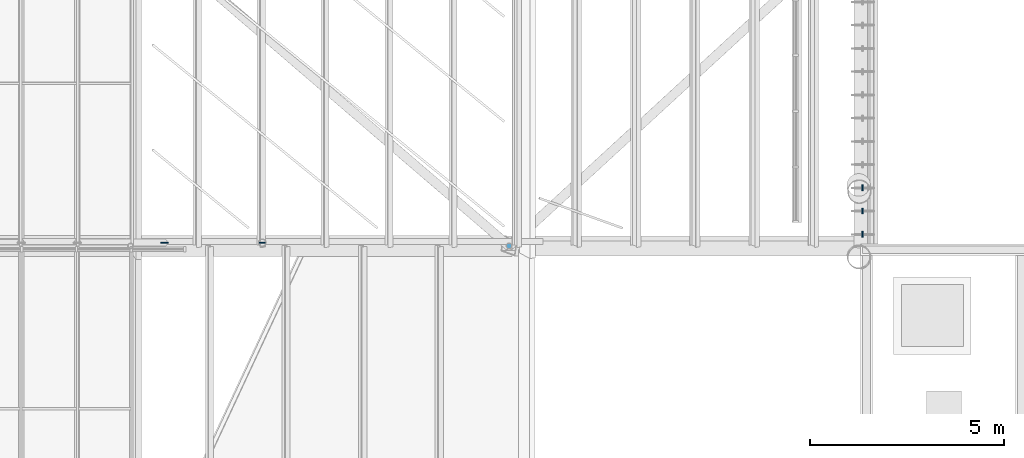
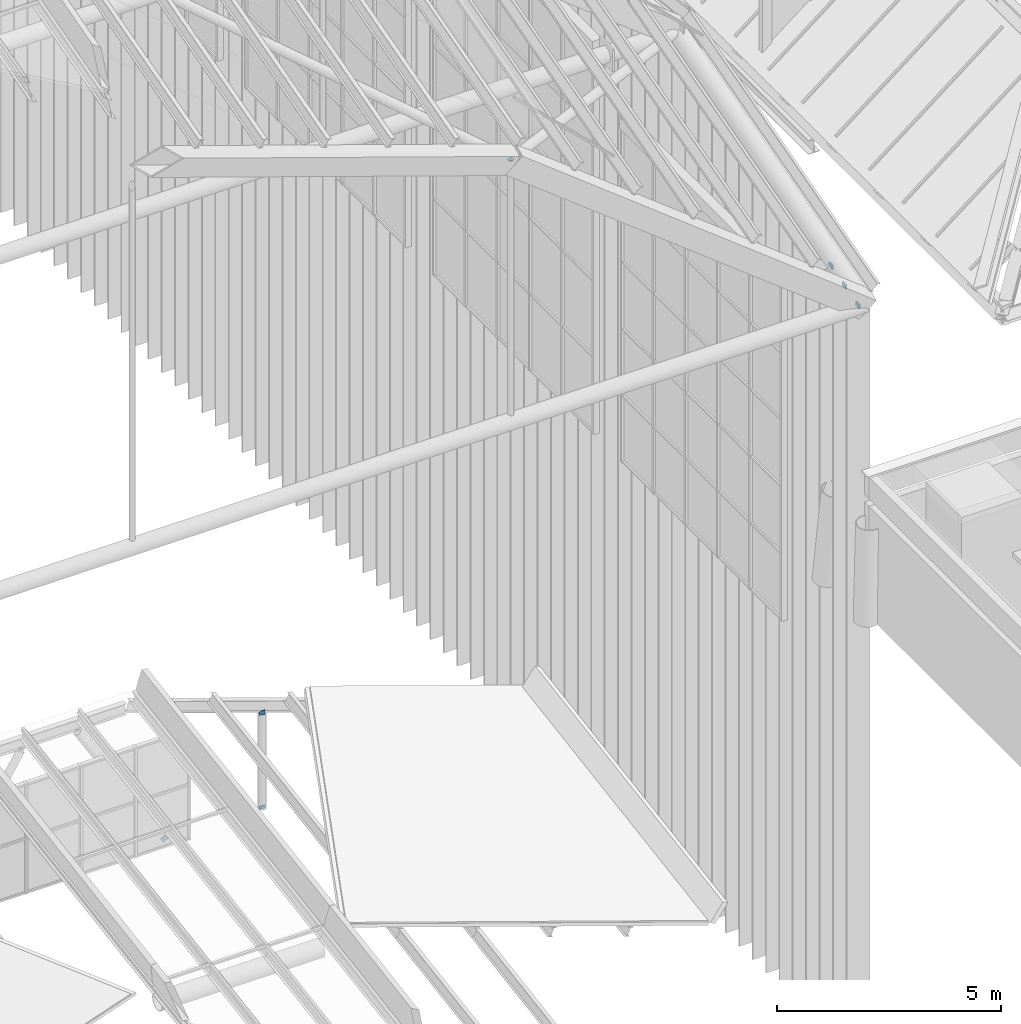
# One storey, part 92 of 126: 7 discrete accessories.
"""IFC4 building model written with IfcOpenShell, lengths in metres."""

import ifcopenshell
import ifcopenshell.guid

model = None  # the IFC model being written
_history = None  # IfcOwnerHistory: only IFC2X3 demands one
_inside = {}  # id of a spatial element -> (the spatial element, [elements in it])
_under = {}  # id of a project, library or spatial element -> (it, [spatial elements below it])
_declared = {}  # id of a project -> (the project, [libraries it declares])
_typed = {}  # id of a type object -> (the type object, [elements of that type])
_made_of = {}  # id of a material, layer set ... -> (it, [elements and type objects made of it])


def new_model(schema):
    """Start an empty IFC model of exactly this schema.

    Asked for "IFC4X3", IfcOpenShell would pick the latest addendum, in which some entities
    have other attributes; the version numbers below select the first issue.
    IFC2X3 requires an IfcOwnerHistory on every rooted entity: one is made here for all.
    """
    global model, _history
    if schema == "IFC4X3":
        model = ifcopenshell.file(schema_version=(4, 3, 0, 0))
    else:
        model = ifcopenshell.file(schema=schema)
    _inside.clear()
    _under.clear()
    _declared.clear()
    _typed.clear()
    _made_of.clear()
    _history = None
    if model.schema == "IFC2X3":
        org = make("IfcOrganization", Name="unknown")
        user = make(
            "IfcPersonAndOrganization",
            ThePerson=make("IfcPerson", FamilyName="unknown"),
            TheOrganization=org,
        )
        app = make(
            "IfcApplication",
            ApplicationDeveloper=org,
            Version="unknown",
            ApplicationFullName="unknown",
            ApplicationIdentifier="unknown",
        )
        _history = make(
            "IfcOwnerHistory",
            OwningUser=user,
            OwningApplication=app,
            ChangeAction="ADDED",
            CreationDate=0,
        )
    return model


def make(cls, **values):
    """One entity of the class cls with the attributes given. An attribute that is None is left unset."""
    return model.create_entity(
        cls, **{name: value for name, value in values.items() if value is not None}
    )


def rooted(cls, **values):
    """An entity with a GlobalId (a new one), such as an element, a storey or a relation."""
    return make(cls, GlobalId=ifcopenshell.guid.new(), OwnerHistory=_history, **values)


def si_unit(unit_type, name, prefix=None):
    """IfcSIUnit, for example si_unit("LENGTHUNIT", "METRE", prefix="MILLI")."""
    return make("IfcSIUnit", UnitType=unit_type, Prefix=prefix, Name=name)


def assignment(units):
    """IfcUnitAssignment: the units of a project."""
    return None if units is None else make("IfcUnitAssignment", Units=units)


def point(xyz):
    """IfcCartesianPoint."""
    return None if xyz is None else make("IfcCartesianPoint", Coordinates=xyz)


def direction(xyz):
    """IfcDirection."""
    return None if xyz is None else make("IfcDirection", DirectionRatios=xyz)


def frame(location, z_axis=None, x_axis=None):
    """IfcAxis2Placement3D, a coordinate frame: its origin and axes. An axis left out is left unset."""
    return make(
        "IfcAxis2Placement3D",
        Location=point(location),
        Axis=direction(z_axis),
        RefDirection=direction(x_axis),
    )


def frame_2d(location, x_axis=None):
    """IfcAxis2Placement2D, a coordinate frame in the plane: its origin and x axis."""
    return make(
        "IfcAxis2Placement2D", Location=point(location), RefDirection=direction(x_axis)
    )


def origin():
    """The frame at (0, 0, 0) with its axes left unset."""
    return frame((0.0, 0.0, 0.0))


def origin_2d():
    """The frame at (0, 0) in the plane with its x axis left unset."""
    return frame_2d((0.0, 0.0))


def place(relative_to, where):
    """IfcLocalPlacement: puts the frame where relative to a parent placement (None: the world)."""
    return make(
        "IfcLocalPlacement", PlacementRelTo=relative_to, RelativePlacement=where
    )


def context(
    kind, dimensions, precision=None, world=None, true_north=None, identifier=None
):
    """IfcGeometricRepresentationContext, for example the 3D "Model" context."""
    return make(
        "IfcGeometricRepresentationContext",
        ContextIdentifier=identifier,
        ContextType=kind,
        CoordinateSpaceDimension=dimensions,
        Precision=precision,
        WorldCoordinateSystem=world,
        TrueNorth=true_north,
    )


def subcontext(parent, identifier, kind, view, scale=None):
    """IfcGeometricRepresentationSubContext, for example "Body" below "Model"."""
    return make(
        "IfcGeometricRepresentationSubContext",
        ContextIdentifier=identifier,
        ContextType=kind,
        ParentContext=parent,
        TargetScale=scale,
        TargetView=view,
    )


def project(units=None, contexts=None):
    """IfcProject with its units and contexts."""
    return rooted(
        "IfcProject",
        Name="project",
        RepresentationContexts=contexts,
        UnitsInContext=assignment(units),
    )


def spatial(cls, under=None, at=None, **own):
    """A site, building, storey or space (cls), placed at a placement, below another one or the project."""
    s = rooted(cls, ObjectPlacement=at, **own)
    if under is not None:
        _under.setdefault(under.id(), (under, []))[1].append(s)
    return s


def profile(cls, at=None, kind="AREA", **sizes):
    """A parametric profile (cls). Its sizes go by their IFC names, for example OverallWidth=200.0."""
    return make(cls, ProfileType=kind, Position=at, **sizes)


def rectangle(**sizes):
    """IfcRectangleProfileDef."""
    return profile("IfcRectangleProfileDef", **sizes)


def circle(**sizes):
    """IfcCircleProfileDef."""
    return profile("IfcCircleProfileDef", **sizes)


def extrude(swept, where, along, depth):
    """IfcExtrudedAreaSolid: the profile swept, set in the frame where, extruded along a direction by depth."""
    return make(
        "IfcExtrudedAreaSolid",
        SweptArea=swept,
        Position=where,
        ExtrudedDirection=direction(along),
        Depth=depth,
    )


def shape(context_of_items, identifier, shape_type, items):
    """IfcShapeRepresentation: the items that make up one representation, for example the "Body"."""
    return make(
        "IfcShapeRepresentation",
        ContextOfItems=context_of_items,
        RepresentationIdentifier=identifier,
        RepresentationType=shape_type,
        Items=items,
    )


def material(Name=None, Category=None):
    """IfcMaterial."""
    return make("IfcMaterial", Name=Name, Category=Category)


def layer(
    of_material, thickness, ventilated=None, Name=None, Category=None, Priority=None
):
    """IfcMaterialLayer: one layer of a wall or slab, of a material (None: an air gap)."""
    return make(
        "IfcMaterialLayer",
        Material=of_material,
        LayerThickness=thickness,
        IsVentilated=ventilated,
        Name=Name,
        Category=Category,
        Priority=Priority,
    )


def layer_set(layers, Name=None):
    """IfcMaterialLayerSet."""
    return make("IfcMaterialLayerSet", MaterialLayers=layers, LayerSetName=Name)


def material_profile(
    of_material, cross_section, Name=None, Category=None, Priority=None
):
    """IfcMaterialProfile: a cross section and its material."""
    return make(
        "IfcMaterialProfile",
        Name=Name,
        Material=of_material,
        Profile=cross_section,
        Priority=Priority,
        Category=Category,
    )


def profile_set(profiles, Name=None, composite=None):
    """IfcMaterialProfileSet."""
    return make(
        "IfcMaterialProfileSet",
        Name=Name,
        MaterialProfiles=profiles,
        CompositeProfile=composite,
    )


def made_of(thing, what):
    """Note that an element or type object is made of a material, layer set ...; save() writes the relation."""
    if what is not None:
        _made_of.setdefault(what.id(), (what, []))[1].append(thing)
    return thing


def type_object(cls, material=None, **own):
    """A type object (cls), such as IfcWallType, which elements share."""
    return made_of(rooted(cls, **own), material)


def element(
    cls,
    number,
    at=None,
    inside=None,
    cuts=None,
    type_object=None,
    material=None,
    context=None,
    identifier="Body",
    shape_type=None,
    held_by="IfcProductDefinitionShape",
    body=None,
    shapes=None,
    **own,
):
    """One element of the class cls, such as IfcWall. Its Tag is "e" and its number.

    at: its placement. inside: the storey or other place that contains it. cuts: it is an
    opening in that element (IfcRelVoidsElement). A single representation is given by context,
    identifier, shape_type and body (its items); several are given by shapes. held_by: the class
    of the entity that holds the representations. save() writes the other relations.
    """
    e = rooted(cls, Tag="e%d" % number, ObjectPlacement=at, **own)
    if body is not None:
        shapes = [shape(context, identifier, shape_type, body)]
    if shapes is not None:
        e.Representation = make(held_by, Representations=shapes)
    if inside is not None:
        _inside.setdefault(inside.id(), (inside, []))[1].append(e)
    if cuts is not None:
        rooted(
            "IfcRelVoidsElement", RelatingBuildingElement=cuts, RelatedOpeningElement=e
        )
    if type_object is not None:
        _typed.setdefault(type_object.id(), (type_object, []))[1].append(e)
    return made_of(e, material)


def aggregate(whole, parts):
    """IfcRelAggregates: a whole, such as a stair, and the parts it consists of."""
    return rooted("IfcRelAggregates", RelatingObject=whole, RelatedObjects=parts)


def save(model, path):
    """Write the relations noted so far, then the file.

    IfcRelAggregates (storeys below a building ...), IfcRelContainedInSpatialStructure (elements
    in a storey), IfcRelDefinesByType, IfcRelAssociatesMaterial and IfcRelDeclares: one each for
    every whole, place, type object, material and project.
    """
    for whole, parts in _under.values():
        aggregate(whole, parts)
    for where, things in _inside.values():
        rooted(
            "IfcRelContainedInSpatialStructure",
            RelatedElements=things,
            RelatingStructure=where,
        )
    for kind, things in _typed.values():
        rooted("IfcRelDefinesByType", RelatedObjects=things, RelatingType=kind)
    for what, things in _made_of.values():
        rooted("IfcRelAssociatesMaterial", RelatedObjects=things, RelatingMaterial=what)
    for by, libraries in _declared.values():
        rooted("IfcRelDeclares", RelatingContext=by, RelatedDefinitions=libraries)
    model.write(path)


model = new_model("IFC4")

# Units and contexts
model_context = context("Model", 3, precision=1e-05, world=origin(), true_north=direction((0.0, 1.0)))
body_context = subcontext(model_context, "Body", "Model", "MODEL_VIEW")
ifc_project = project(units=[si_unit("LENGTHUNIT", "METRE"), si_unit("AREAUNIT", "SQUARE_METRE"), si_unit("VOLUMEUNIT", "CUBIC_METRE"), si_unit("PLANEANGLEUNIT", "RADIAN"), si_unit("MASSUNIT", "GRAM", prefix="KILO")], contexts=[model_context])

# Site, building, storey
site_placement = place(None, origin())
site = spatial("IfcSite", under=ifc_project, at=site_placement, CompositionType="ELEMENT")
building_placement = place(site_placement, origin())
building = spatial("IfcBuilding", under=site, at=building_placement, Name="Sava Quay Ferry Terminal", CompositionType="ELEMENT")
storey_placement = place(building_placement, frame((0.0, 0.0, 15.0)))
storey = spatial("IfcBuildingStorey", under=building, at=storey_placement, Name="L03", CompositionType="ELEMENT", Elevation=15.0)

# Discrete accessories
ifc_material_1 = material(Name="Steel S355 galvanised", Category="steel")
ifc_layer = layer(ifc_material_1, 0.0400390625)
ifc_layer_set = layer_set([ifc_layer], Name="Steel S355 galvanised")
discrete_accessory_type_1 = type_object("IfcDiscreteAccessoryType", Name="Blade bracket flat 40x150", PredefinedType="BRACKET", material=ifc_layer_set)
for number, where, z_axis, x_axis, name in (
    (1, (84.0, 50.699951171875, 8.1357421875), (0.0, 0.0, 1.0), (1.0, 0.0, 0.0), "Blade bracket D-E 1"),
    (2, (84.0, 51.300048828125, 8.303955078125), (0.0, 0.0, 1.0), (1.0, 0.0, 0.0), "Blade bracket D-E 2"),
    (3, (84.0, 51.89990234375, 8.472412109375), (0.0, 0.0, 1.0), (1.0, 0.0, 0.0), "Blade bracket D-E 3"),
):
    element("IfcDiscreteAccessory", number, at=place(storey_placement, frame(where, z_axis=z_axis, x_axis=x_axis)), inside=storey, type_object=discrete_accessory_type_1, Name=name, PredefinedType="BRACKET", context=body_context, shape_type="SweptSolid", body=[
        extrude(rectangle(XDim=0.0400390625, YDim=0.14990234375, at=origin_2d()), origin(), (0.0, 0.0, 1.0), 0.1201171875),
    ])
ifc_material_2 = material(Name="Steel S355", Category="steel")
ifc_material_profile_1 = material_profile(ifc_material_2, rectangle(XDim=0.14990234375, YDim=0.02001953125, at=origin_2d()), Name="Plate 150 x 20")
ifc_profile_set_1 = profile_set([ifc_material_profile_1], Name="Steel S355")
discrete_accessory_type_2 = type_object("IfcDiscreteAccessoryType", Name="Brace gusset plate 20 x 150", PredefinedType="BRACKET", material=ifc_profile_set_1)
discrete_accessory_1_placement = place(storey_placement, frame((65.9384765625, 50.482421875, 0.135986328125), z_axis=(0.517599216475, 0.0, -0.855623194581), x_axis=(-0.855623194581, 0.0, -0.517599216475)))
element("IfcDiscreteAccessory", 4, at=discrete_accessory_1_placement, inside=storey, type_object=discrete_accessory_type_2, Name="Arrivals hall gable truss strut gusset plate F", PredefinedType="BRACKET", context=body_context, shape_type="SweptSolid", body=[
    extrude(rectangle(XDim=0.14990234375, YDim=0.02001953125, at=origin_2d()), origin(), (0.0, 0.0, 1.0), 0.138671875),
])
discrete_accessory_2_placement = place(storey_placement, frame((68.5, 50.482421875, 0.094482421875), z_axis=(0.0, 0.0, -1.0), x_axis=(-1.0, 0.0, 0.0)))
element("IfcDiscreteAccessory", 5, at=discrete_accessory_2_placement, inside=storey, type_object=discrete_accessory_type_2, Name="Arrivals hall gable truss post gusset plate F", PredefinedType="BRACKET", context=body_context, shape_type="SweptSolid", body=[
    extrude(rectangle(XDim=0.14990234375, YDim=0.02001953125, at=origin_2d()), origin(), (0.0, 0.0, 1.0), 0.080078125),
])
discrete_accessory_3_placement = place(storey_placement, frame((68.5, 50.482421875, 2.568115234375), z_axis=(0.0, 0.0, 1.0), x_axis=(1.0, 0.0, 0.0)))
element("IfcDiscreteAccessory", 6, at=discrete_accessory_3_placement, inside=storey, type_object=discrete_accessory_type_2, Name="Arrivals hall gable truss post gusset plate H", PredefinedType="BRACKET", context=body_context, shape_type="SweptSolid", body=[
    extrude(rectangle(XDim=0.14990234375, YDim=0.02001953125, at=origin_2d()), origin(), (0.0, 0.0, 1.0), 0.113525390625),
])
ifc_material_3 = material(Name="Steel S355", Category="steel")
ifc_material_profile_2 = material_profile(ifc_material_3, circle(Radius=0.06982421875, at=origin_2d()), Name="Plate 139.7 dia x 20")
ifc_profile_set_2 = profile_set([ifc_material_profile_2], Name="Steel S355")
discrete_accessory_type_3 = type_object("IfcDiscreteAccessoryType", Name="Tube end plate 139.7", PredefinedType="ANCHORPLATE", material=ifc_profile_set_2)
discrete_accessory_4_placement = place(storey_placement, frame((74.8701171875, 50.39990234375, 15.533203125), z_axis=(0.0, 0.0, 1.0), x_axis=(1.0, 0.0, 0.0)))
element("IfcDiscreteAccessory", 7, at=discrete_accessory_4_placement, inside=storey, type_object=discrete_accessory_type_3, Name="End plate Departure hall tie hanger R0 V4", PredefinedType="ANCHORPLATE", context=body_context, shape_type="SweptSolid", body=[
    extrude(circle(Radius=0.06982421875, at=origin_2d()), origin(), (0.0, 0.0, 1.0), 0.02001953125),
])

save(model, "model.ifc")
